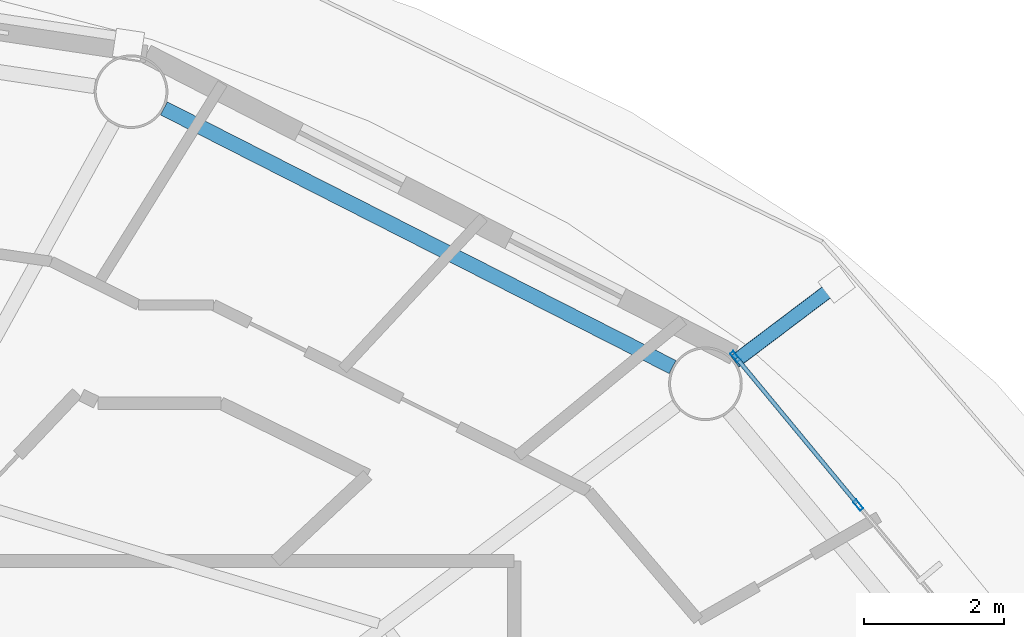
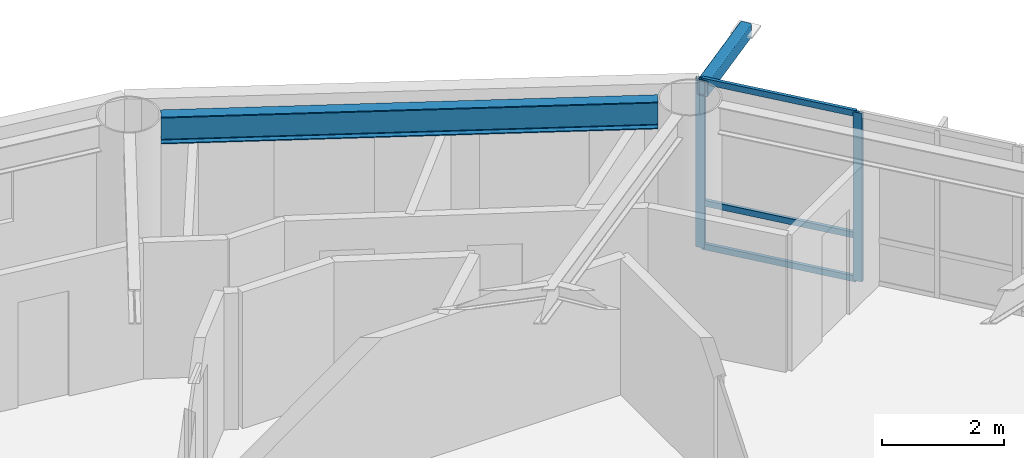
# One storey, part 11 of 23: 6 members, 1 beam, 1 element without a shape of its own.
"""IFC4 building model written with IfcOpenShell, lengths in metres."""

from ifc_helpers import new_model, si_unit, direction, frame, origin, origin_2d, place, context, subcontext, project, spatial, hollow_rectangle, i_section, extrude, material, layer, layer_set, material_profile, profile_set, type_object, element, aggregate, save


model = new_model("IFC4")

# Units and contexts
model_context = context("Model", 3, precision=1e-05, world=origin(), true_north=direction((0.0, 1.0)))
body_context = subcontext(model_context, "Body", "Model", "MODEL_VIEW")
ifc_project = project(units=[si_unit("LENGTHUNIT", "METRE"), si_unit("AREAUNIT", "SQUARE_METRE"), si_unit("VOLUMEUNIT", "CUBIC_METRE"), si_unit("PLANEANGLEUNIT", "RADIAN"), si_unit("MASSUNIT", "GRAM", prefix="KILO")], contexts=[model_context])

# Site, building, storey
site_placement = place(None, origin())
site = spatial("IfcSite", under=ifc_project, at=site_placement, CompositionType="ELEMENT")
building_placement = place(site_placement, origin())
building = spatial("IfcBuilding", under=site, at=building_placement, Name="Sarneth Arch Tower", CompositionType="ELEMENT")
storey_placement = place(building_placement, frame((0.0, 0.0, 242.39990234375)))
storey = spatial("IfcBuildingStorey", under=building, at=storey_placement, Name="L62", CompositionType="ELEMENT", Elevation=242.39990234375)

# Beam
ifc_material_1 = material(Name="Steel S355", Category="steel")
ifc_material_profile_1 = material_profile(ifc_material_1, i_section(OverallWidth=0.2109375, OverallDepth=0.5390625, WebThickness=0.01171875, FlangeThickness=0.018798828125, FilletRadius=0.01806640625, at=origin_2d()), Name="W530x109")
ifc_profile_set_1 = profile_set([ifc_material_profile_1], Name="Steel S355")
beam_type = type_object("IfcBeamType", Name="BM-RAD-530B", PredefinedType="BEAM", material=ifc_profile_set_1)
beam_placement = place(storey_placement, frame((65.50732421875, 55.814453125, 3.090576171875), z_axis=(-0.891368271482, 0.453279830342, 0.0), x_axis=(-0.453279830342, -0.891368271482, 0.0)))
element("IfcBeam", 1, at=beam_placement, inside=storey, type_object=beam_type, Name="L62 Perimeter spandrel beam 03", PredefinedType="BEAM", context=body_context, shape_type="SweptSolid", body=[
    extrude(i_section(OverallWidth=0.2109375, OverallDepth=0.5390625, WebThickness=0.01171875, FlangeThickness=0.018798828125, FilletRadius=0.01806640625, at=origin_2d()), origin(), (0.0, 0.0, 1.0), 8.1318359375),
])

# Curtain wall, members
ifc_material_2 = material(Name="Anodised aluminium Type AA25 and solar-control low-e laminated IGU", Category="aluminium")
ifc_layer = layer(ifc_material_2, 0.179931640625)
ifc_layer_set = layer_set([ifc_layer], Name="Anodised aluminium Type AA25 and solar-control low-e laminated IGU")
curtain_wall_type = type_object("IfcCurtainWallType", Name="CW-RES-HIGH", PredefinedType="NOTDEFINED", material=ifc_layer_set)
curtain_wall_placement = place(storey_placement, origin())
curtain_wall = element("IfcCurtainWall", 2, at=curtain_wall_placement, inside=storey, type_object=curtain_wall_type, Name="L62 Unitised curtain wall facet 02", PredefinedType="NOTDEFINED")
ifc_material_3 = material(Name="Anodised Aluminium 6063-T6", Category="aluminium")
ifc_material_profile_2 = material_profile(ifc_material_3, hollow_rectangle(XDim=0.06005859375, YDim=0.159912109375, WallThickness=0.00390625, at=origin_2d()), Name="AL-MULL-160x60x4")
ifc_profile_set_2 = profile_set([ifc_material_profile_2], Name="Anodised Aluminium 6063-T6")
member_type_1 = type_object("IfcMemberType", Name="CW-MULLION", PredefinedType="MULLION", material=ifc_profile_set_2)
member_1_placement = place(storey_placement, frame((68.15283203125, 53.84765625, 0.0), z_axis=(0.0, 0.0, 1.0), x_axis=(-0.770359245933, -0.637610094184, 0.0)))
member_1 = element("IfcMember", 3, at=member_1_placement, type_object=member_type_1, Name="CW-SYS-6 mullion 3", PredefinedType="MULLION", context=body_context, shape_type="SweptSolid", body=[
    extrude(hollow_rectangle(XDim=0.06005859375, YDim=0.159912109375, WallThickness=0.00390625, at=origin_2d()), origin(), (0.0, 0.0, 1.0), 3.360107421875),
])
member_2_placement = place(storey_placement, frame((66.401611328125, 55.96337890625, 0.0), z_axis=(0.0, 0.0, 1.0), x_axis=(-0.770359245933, -0.637610094184, 0.0)))
member_2 = element("IfcMember", 4, at=member_2_placement, type_object=member_type_1, Name="CW-SYS-6 mullion 4", PredefinedType="MULLION", context=body_context, shape_type="SweptSolid", body=[
    extrude(hollow_rectangle(XDim=0.06005859375, YDim=0.159912109375, WallThickness=0.00390625, at=origin_2d()), origin(), (0.0, 0.0, 1.0), 3.360107421875),
])
ifc_material_4 = material(Name="Anodised Aluminium 6063-T6", Category="aluminium")
ifc_material_profile_3 = material_profile(ifc_material_4, hollow_rectangle(XDim=0.06005859375, YDim=0.1201171875, WallThickness=0.00390625, at=origin_2d()), Name="AL-TRAN-120x60x4")
ifc_profile_set_3 = profile_set([ifc_material_profile_3], Name="Anodised Aluminium 6063-T6")
member_type_2 = type_object("IfcMemberType", Name="CW-TRANSOM", PredefinedType="USERDEFINED", material=ifc_profile_set_3)
member_3_placement = place(storey_placement, frame((68.1337890625, 53.87060546875, 0.030029296875), z_axis=(-0.637606765719, 0.770362000821, 0.0), x_axis=(-0.770362000821, -0.637606765719, 0.0)))
member_3 = element("IfcMember", 5, at=member_3_placement, type_object=member_type_2, Name="CW-SYS-6 transom 3.1", ObjectType="TRANSOM", PredefinedType="USERDEFINED", context=body_context, shape_type="SweptSolid", body=[
    extrude(hollow_rectangle(XDim=0.06005859375, YDim=0.1201171875, WallThickness=0.00390625, at=origin_2d()), origin(), (0.0, 0.0, 1.0), 2.686767578125),
])
member_4_placement = place(storey_placement, frame((68.1337890625, 53.87060546875, 0.900146484375), z_axis=(-0.637606765719, 0.770362000821, 0.0), x_axis=(-0.770362000821, -0.637606765719, 0.0)))
member_4 = element("IfcMember", 6, at=member_4_placement, type_object=member_type_2, Name="CW-SYS-6 transom 3.2", ObjectType="TRANSOM", PredefinedType="USERDEFINED", context=body_context, shape_type="SweptSolid", body=[
    extrude(hollow_rectangle(XDim=0.06005859375, YDim=0.1201171875, WallThickness=0.00390625, at=origin_2d()), origin(), (0.0, 0.0, 1.0), 2.686767578125),
])
member_5_placement = place(storey_placement, frame((68.1337890625, 53.87060546875, 3.330078125), z_axis=(-0.637606765719, 0.770362000821, 0.0), x_axis=(-0.770362000821, -0.637606765719, 0.0)))
member_5 = element("IfcMember", 7, at=member_5_placement, type_object=member_type_2, Name="CW-SYS-6 transom 3.3", ObjectType="TRANSOM", PredefinedType="USERDEFINED", context=body_context, shape_type="SweptSolid", body=[
    extrude(hollow_rectangle(XDim=0.06005859375, YDim=0.1201171875, WallThickness=0.00390625, at=origin_2d()), origin(), (0.0, 0.0, 1.0), 2.686767578125),
])
aggregate(curtain_wall, [member_1, member_2, member_3, member_4, member_5])

# Member
ifc_material_5 = material(Name="Steel S355", Category="steel")
ifc_material_profile_4 = material_profile(ifc_material_5, hollow_rectangle(XDim=0.199951171875, YDim=0.300048828125, WallThickness=0.012451171875, InnerFilletRadius=0.018798828125, OuterFilletRadius=0.03125, at=origin_2d()), Name="RHS300x200x12.5")
ifc_profile_set_4 = profile_set([ifc_material_profile_4], Name="Steel S355")
member_type_3 = type_object("IfcMemberType", Name="MEM-CANT-STRUT", PredefinedType="STRUT", material=ifc_profile_set_4)
member_6_placement = place(storey_placement, frame((66.39404296875, 55.892822265625, 3.2001953125), z_axis=(0.797966287819, 0.6027020852, 0.0), x_axis=(-0.6027020852, 0.797966287819, 0.0)))
element("IfcMember", 8, at=member_6_placement, inside=storey, type_object=member_type_3, Name="L62 Balcony cantilever bracket 03", PredefinedType="STRUT", context=body_context, shape_type="SweptSolid", body=[
    extrude(hollow_rectangle(XDim=0.199951171875, YDim=0.300048828125, WallThickness=0.012451171875, InnerFilletRadius=0.018798828125, OuterFilletRadius=0.03125, at=origin_2d()), origin(), (0.0, 0.0, 1.0), 1.819091796875),
])

save(model, "model.ifc")
